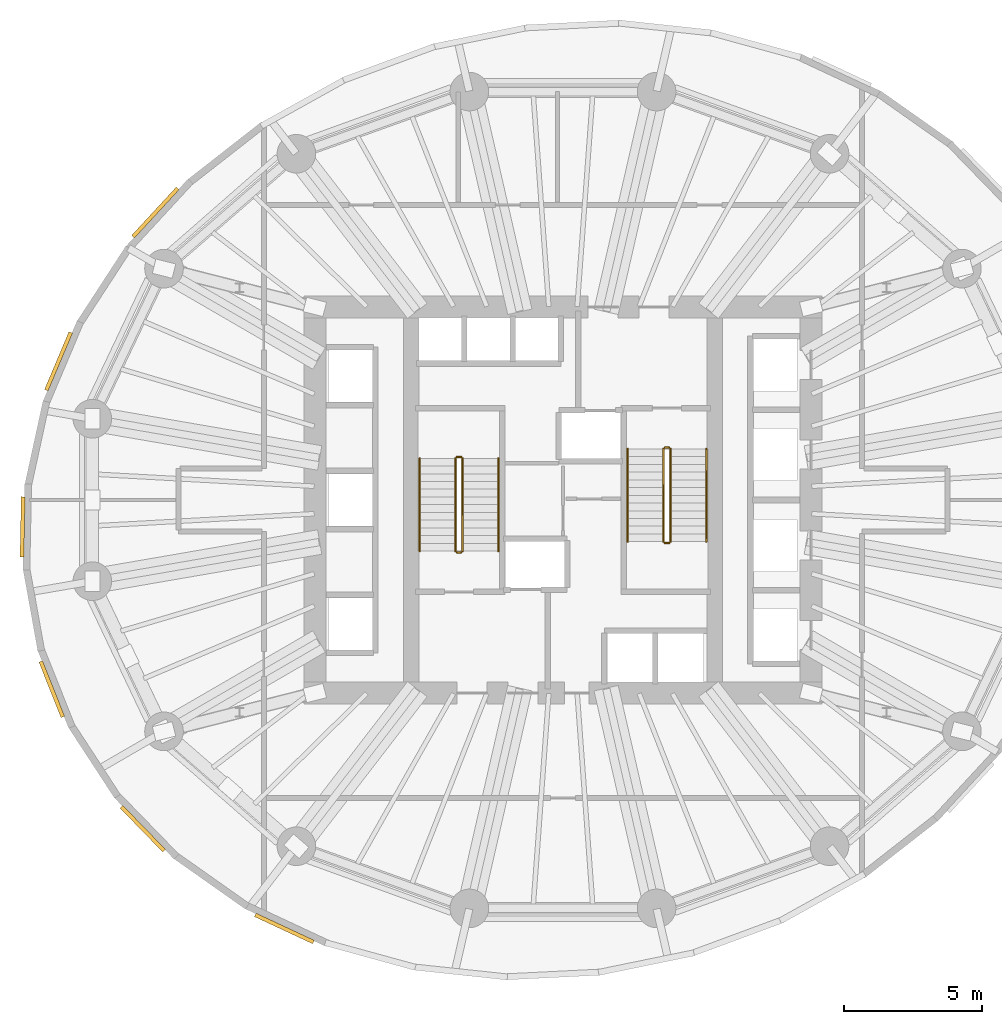
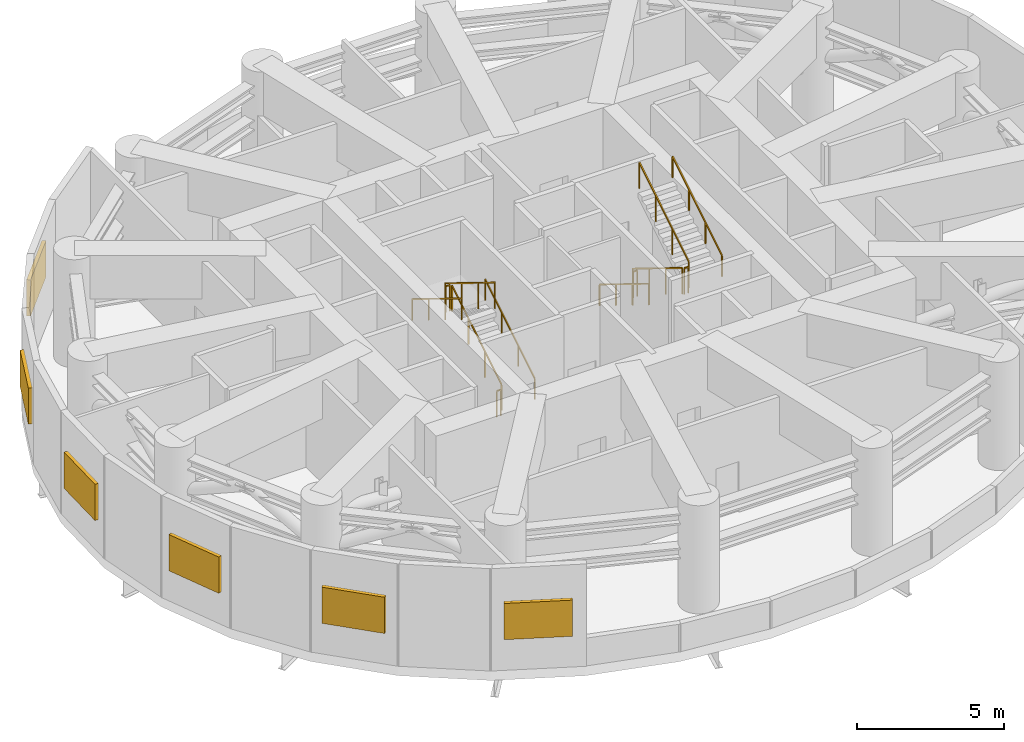
# One storey, part 7 of 8: 12 railings, 6 shading devices.
"""IFC4 building model written with IfcOpenShell, lengths in metres."""

from ifc_helpers import new_model, si_unit, direction, frame, origin, origin_2d, place, context, subcontext, project, spatial, rectangle, extrude, material, layer, layer_set, type_object, element, save


model = new_model("IFC4")

# Units and contexts
model_context = context("Model", 3, precision=1e-05, world=origin(), true_north=direction((0.0, 1.0)))
body_context = subcontext(model_context, "Body", "Model", "MODEL_VIEW")
ifc_project = project(units=[si_unit("LENGTHUNIT", "METRE"), si_unit("AREAUNIT", "SQUARE_METRE"), si_unit("VOLUMEUNIT", "CUBIC_METRE"), si_unit("PLANEANGLEUNIT", "RADIAN"), si_unit("MASSUNIT", "GRAM", prefix="KILO")], contexts=[model_context])

# Site, building, storey
site_placement = place(None, origin())
site = spatial("IfcSite", under=ifc_project, at=site_placement, CompositionType="ELEMENT")
building_placement = place(site_placement, origin())
building = spatial("IfcBuilding", under=site, at=building_placement, Name="Veldorim Arch Residences", CompositionType="ELEMENT")
storey_placement = place(building_placement, frame((0.0, 0.0, 66.39990234375)))
storey = spatial("IfcBuildingStorey", under=building, at=storey_placement, Name="L19", CompositionType="ELEMENT", Elevation=66.39990234375)

# Shading devices
ifc_material_1 = material(Name="Aluminium", Category="aluminium")
ifc_layer = layer(ifc_material_1, 0.14990234375, Name="Acoustic Stormproof Plant Louvre Bank")
ifc_layer_set = layer_set([ifc_layer], Name="Aluminium")
shading_device_type = type_object("IfcShadingDeviceType", Name="Acoustic Stormproof Plant Louvre Bank", PredefinedType="JALOUSIE", material=ifc_layer_set)
shading_device_1_placement = place(storey_placement, frame((17.218994140625, 34.424560546875, 1.35009765625), z_axis=(0.0, 0.0, 1.0), x_axis=(0.678544377272, 0.734559410853, 0.0)))
element("IfcShadingDevice", 1, at=shading_device_1_placement, inside=storey, type_object=shading_device_type, Name="L19 plant stormproof acoustic louvre 12", PredefinedType="JALOUSIE", context=body_context, shape_type="SweptSolid", body=[
    extrude(rectangle(XDim=2.383056640625, YDim=0.139892578125, at=origin_2d()), origin(), (0.0, 0.0, 1.0), 1.5),
])
shading_device_2_placement = place(storey_placement, frame((13.707763671875, 29.02978515625, 1.35009765625), z_axis=(0.0, 0.0, 1.0), x_axis=(0.389284721396, 0.921117476594, 0.0)))
element("IfcShadingDevice", 2, at=shading_device_2_placement, inside=storey, type_object=shading_device_type, Name="L19 plant stormproof acoustic louvre 14", PredefinedType="JALOUSIE", context=body_context, shape_type="SweptSolid", body=[
    extrude(rectangle(XDim=2.27099609375, YDim=0.139892578125, at=origin_2d()), origin(), (0.0, 0.0, 1.0), 1.5),
])
shading_device_3_placement = place(storey_placement, frame((12.402587890625, 23.026123046875, 1.35009765625), z_axis=(0.0, 0.0, 1.0), x_axis=(0.02059342932, 0.999787932848, 0.0)))
element("IfcShadingDevice", 3, at=shading_device_3_placement, inside=storey, type_object=shading_device_type, Name="L19 plant stormproof acoustic louvre 16", PredefinedType="JALOUSIE", context=body_context, shape_type="SweptSolid", body=[
    extrude(rectangle(XDim=2.181884765625, YDim=0.139892578125, at=origin_2d()), origin(), (0.0, 0.0, 1.0), 1.5),
])
shading_device_4_placement = place(storey_placement, frame((13.462646484375, 17.13916015625, 1.35009765625), z_axis=(0.0, 0.0, 1.0), x_axis=(-0.369908915867, 0.9290680244, 0.0)))
element("IfcShadingDevice", 4, at=shading_device_4_placement, inside=storey, type_object=shading_device_type, Name="L19 plant stormproof acoustic louvre 18", PredefinedType="JALOUSIE", context=body_context, shape_type="SweptSolid", body=[
    extrude(rectangle(XDim=2.160888671875, YDim=0.139892578125, at=origin_2d()), origin(), (0.0, 0.0, 1.0), 1.5),
])
shading_device_5_placement = place(storey_placement, frame((16.760498046875, 12.08056640625, 1.35009765625), z_axis=(0.0, 0.0, 1.0), x_axis=(-0.697039967731, 0.717032274995, 0.0)))
element("IfcShadingDevice", 5, at=shading_device_5_placement, inside=storey, type_object=shading_device_type, Name="L19 plant stormproof acoustic louvre 20", PredefinedType="JALOUSIE", context=body_context, shape_type="SweptSolid", body=[
    extrude(rectangle(XDim=2.219970703125, YDim=0.139892578125, at=origin_2d()), origin(), (0.0, 0.0, 1.0), 1.5),
])
shading_device_6_placement = place(storey_placement, frame((21.896240234375, 8.461669921875, 1.35009765625), z_axis=(0.0, 0.0, 1.0), x_axis=(-0.906160210221, 0.422934597085, 0.0)))
element("IfcShadingDevice", 6, at=shading_device_6_placement, inside=storey, type_object=shading_device_type, Name="L19 plant stormproof acoustic louvre 22", PredefinedType="JALOUSIE", context=body_context, shape_type="SweptSolid", body=[
    extrude(rectangle(XDim=2.327880859375, YDim=0.139892578125, at=origin_2d()), origin(), (0.0, 0.0, 1.0), 1.5),
])

# Railings
ifc_material_2 = material(Name="Steel S355", Category="steel")
railing_type_1 = type_object("IfcRailingType", Name="Galvanised Steel Stair Safety Guardrail 1100", PredefinedType="GUARDRAIL", material=ifc_material_2)
railing_1_placement = place(storey_placement, frame((28.360107421875, 22.14990234375, 0.17236328125)))
element("IfcRailing", 7, at=railing_1_placement, inside=storey, type_object=railing_type_1, Name="L19 ST-1 stair guard 1", PredefinedType="GUARDRAIL", context=body_context, shape_type="SweptSolid", body=[
    extrude(rectangle(XDim=0.048095703125, YDim=0.048095703125, at=origin_2d()), frame((0.0, 0.0, 1.076171875), z_axis=(0.0, 0.851673189135, 0.524073257196), x_axis=(-1.0, 0.0, 0.0)), (0.0, 0.0, 1.0), 3.9453125),
    extrude(rectangle(XDim=0.0419921875, YDim=0.0419921875, at=origin_2d()), origin(), (0.0, 0.0, 1.0), 1.052001953125),
    extrude(rectangle(XDim=0.0419921875, YDim=0.0419921875, at=origin_2d()), frame((0.0, 1.1201171875, 0.689208984375)), (0.0, 0.0, 1.0), 1.052001953125),
    extrude(rectangle(XDim=0.0419921875, YDim=0.0419921875, at=origin_2d()), frame((0.0, 2.239990234375, 1.37841796875)), (0.0, 0.0, 1.0), 1.052001953125),
    extrude(rectangle(XDim=0.0419921875, YDim=0.0419921875, at=origin_2d()), frame((0.0, 3.360107421875, 2.067626953125)), (0.0, 0.0, 1.0), 1.052001953125),
])
railing_2_placement = place(storey_placement, frame((28.31005859375, 25.56005859375, 2.239990234375)))
element("IfcRailing", 8, at=railing_2_placement, inside=storey, type_object=railing_type_1, Name="L19 ST-1 stair guard 2", PredefinedType="GUARDRAIL", context=body_context, shape_type="SweptSolid", body=[
    extrude(rectangle(XDim=0.048095703125, YDim=0.048095703125, at=origin_2d()), frame((0.0, 0.0, 1.076171875), z_axis=(-1.0, 0.0, 0.0), x_axis=(0.0, -1.0, 0.0)), (0.0, 0.0, 1.0), 0.16015625),
    extrude(rectangle(XDim=0.0419921875, YDim=0.0419921875, at=origin_2d()), origin(), (0.0, 0.0, 1.0), 1.052001953125),
    extrude(rectangle(XDim=0.0419921875, YDim=0.0419921875, at=origin_2d()), frame((-0.16015625, 0.0, 0.0)), (0.0, 0.0, 1.0), 1.052001953125),
])
railing_3_placement = place(storey_placement, frame((28.10009765625, 25.510009765625, 2.412353515625)))
element("IfcRailing", 9, at=railing_3_placement, inside=storey, type_object=railing_type_1, Name="L19 ST-1 stair guard 3", PredefinedType="GUARDRAIL", context=body_context, shape_type="SweptSolid", body=[
    extrude(rectangle(XDim=0.048095703125, YDim=0.048095703125, at=origin_2d()), frame((0.0, 0.0, 1.076171875), z_axis=(0.0, -0.851673189135, 0.524073257196), x_axis=(1.0, 0.0, 0.0)), (0.0, 0.0, 1.0), 3.9453125),
    extrude(rectangle(XDim=0.0419921875, YDim=0.0419921875, at=origin_2d()), origin(), (0.0, 0.0, 1.0), 1.052001953125),
    extrude(rectangle(XDim=0.0419921875, YDim=0.0419921875, at=origin_2d()), frame((0.0, -1.1201171875, 0.689208984375)), (0.0, 0.0, 1.0), 1.052001953125),
    extrude(rectangle(XDim=0.0419921875, YDim=0.0419921875, at=origin_2d()), frame((0.0, -2.239990234375, 1.37841796875)), (0.0, 0.0, 1.0), 1.052001953125),
    extrude(rectangle(XDim=0.0419921875, YDim=0.0419921875, at=origin_2d()), frame((0.0, -3.360107421875, 2.067626953125)), (0.0, 0.0, 1.0), 1.052001953125),
])
railing_4_placement = place(storey_placement, frame((28.31005859375, 22.10009765625, 0.0)))
element("IfcRailing", 10, at=railing_4_placement, inside=storey, type_object=railing_type_1, Name="L19 ST-1 stair guard 4", PredefinedType="GUARDRAIL", context=body_context, shape_type="SweptSolid", body=[
    extrude(rectangle(XDim=0.048095703125, YDim=0.048095703125, at=origin_2d()), frame((0.0, 0.0, 1.076171875), z_axis=(-1.0, 0.0, 0.0), x_axis=(0.0, -1.0, 0.0)), (0.0, 0.0, 1.0), 0.16015625),
    extrude(rectangle(XDim=0.0419921875, YDim=0.0419921875, at=origin_2d()), origin(), (0.0, 0.0, 1.0), 1.052001953125),
    extrude(rectangle(XDim=0.0419921875, YDim=0.0419921875, at=origin_2d()), frame((-0.16015625, 0.0, 0.0)), (0.0, 0.0, 1.0), 1.052001953125),
])
railing_5_placement = place(storey_placement, frame((35.639892578125, 25.85009765625, 0.17236328125)))
element("IfcRailing", 11, at=railing_5_placement, inside=storey, type_object=railing_type_1, Name="L19 ST-2 stair guard 1", PredefinedType="GUARDRAIL", context=body_context, shape_type="SweptSolid", body=[
    extrude(rectangle(XDim=0.048095703125, YDim=0.048095703125, at=origin_2d()), frame((0.0, 0.0, 1.076171875), z_axis=(0.0, -0.851673189135, 0.524073257196), x_axis=(1.0, 0.0, 0.0)), (0.0, 0.0, 1.0), 3.9453125),
    extrude(rectangle(XDim=0.0419921875, YDim=0.0419921875, at=origin_2d()), origin(), (0.0, 0.0, 1.0), 1.052001953125),
    extrude(rectangle(XDim=0.0419921875, YDim=0.0419921875, at=origin_2d()), frame((0.0, -1.1201171875, 0.689208984375)), (0.0, 0.0, 1.0), 1.052001953125),
    extrude(rectangle(XDim=0.0419921875, YDim=0.0419921875, at=origin_2d()), frame((0.0, -2.239990234375, 1.37841796875)), (0.0, 0.0, 1.0), 1.052001953125),
    extrude(rectangle(XDim=0.0419921875, YDim=0.0419921875, at=origin_2d()), frame((0.0, -3.360107421875, 2.067626953125)), (0.0, 0.0, 1.0), 1.052001953125),
])
railing_6_placement = place(storey_placement, frame((35.68994140625, 22.43994140625, 2.239990234375)))
element("IfcRailing", 12, at=railing_6_placement, inside=storey, type_object=railing_type_1, Name="L19 ST-2 stair guard 2", PredefinedType="GUARDRAIL", context=body_context, shape_type="SweptSolid", body=[
    extrude(rectangle(XDim=0.048095703125, YDim=0.048095703125, at=origin_2d()), frame((0.0, 0.0, 1.076171875), z_axis=(1.0, 0.0, 0.0), x_axis=(0.0, 1.0, 0.0)), (0.0, 0.0, 1.0), 0.16015625),
    extrude(rectangle(XDim=0.0419921875, YDim=0.0419921875, at=origin_2d()), origin(), (0.0, 0.0, 1.0), 1.052001953125),
    extrude(rectangle(XDim=0.0419921875, YDim=0.0419921875, at=origin_2d()), frame((0.16015625, 0.0, 0.0)), (0.0, 0.0, 1.0), 1.052001953125),
])
railing_7_placement = place(storey_placement, frame((35.89990234375, 22.489990234375, 2.412353515625)))
element("IfcRailing", 13, at=railing_7_placement, inside=storey, type_object=railing_type_1, Name="L19 ST-2 stair guard 3", PredefinedType="GUARDRAIL", context=body_context, shape_type="SweptSolid", body=[
    extrude(rectangle(XDim=0.048095703125, YDim=0.048095703125, at=origin_2d()), frame((0.0, 0.0, 1.076171875), z_axis=(0.0, 0.851673189135, 0.524073257196), x_axis=(-1.0, 0.0, 0.0)), (0.0, 0.0, 1.0), 3.9453125),
    extrude(rectangle(XDim=0.0419921875, YDim=0.0419921875, at=origin_2d()), origin(), (0.0, 0.0, 1.0), 1.052001953125),
    extrude(rectangle(XDim=0.0419921875, YDim=0.0419921875, at=origin_2d()), frame((0.0, 1.1201171875, 0.689208984375)), (0.0, 0.0, 1.0), 1.052001953125),
    extrude(rectangle(XDim=0.0419921875, YDim=0.0419921875, at=origin_2d()), frame((0.0, 2.239990234375, 1.37841796875)), (0.0, 0.0, 1.0), 1.052001953125),
    extrude(rectangle(XDim=0.0419921875, YDim=0.0419921875, at=origin_2d()), frame((0.0, 3.360107421875, 2.067626953125)), (0.0, 0.0, 1.0), 1.052001953125),
])
railing_8_placement = place(storey_placement, frame((35.68994140625, 25.89990234375, 0.0)))
element("IfcRailing", 14, at=railing_8_placement, inside=storey, type_object=railing_type_1, Name="L19 ST-2 stair guard 4", PredefinedType="GUARDRAIL", context=body_context, shape_type="SweptSolid", body=[
    extrude(rectangle(XDim=0.048095703125, YDim=0.048095703125, at=origin_2d()), frame((0.0, 0.0, 1.076171875), z_axis=(1.0, 0.0, 0.0), x_axis=(0.0, 1.0, 0.0)), (0.0, 0.0, 1.0), 0.16015625),
    extrude(rectangle(XDim=0.0419921875, YDim=0.0419921875, at=origin_2d()), origin(), (0.0, 0.0, 1.0), 1.052001953125),
    extrude(rectangle(XDim=0.0419921875, YDim=0.0419921875, at=origin_2d()), frame((0.16015625, 0.0, 0.0)), (0.0, 0.0, 1.0), 1.052001953125),
])
ifc_material_3 = material(Name="Stainless Steel", Category="steel")
railing_type_2 = type_object("IfcRailingType", Name="Tubular Steel Continuous Wall Handrail 900", PredefinedType="HANDRAIL", material=ifc_material_3)
railing_9_placement = place(storey_placement, frame((29.659912109375, 22.14990234375, 0.17236328125)))
element("IfcRailing", 15, at=railing_9_placement, inside=storey, type_object=railing_type_2, Name="L19 ST-1 stair handrail 1", PredefinedType="HANDRAIL", context=body_context, shape_type="SweptSolid", body=[
    extrude(rectangle(XDim=0.048095703125, YDim=0.048095703125, at=origin_2d()), frame((0.0, 0.0, 0.8759765625), z_axis=(0.0, 0.851673189135, 0.524073257196), x_axis=(-1.0, 0.0, 0.0)), (0.0, 0.0, 1.0), 3.9453125),
    extrude(rectangle(XDim=0.0419921875, YDim=0.0419921875, at=origin_2d()), origin(), (0.0, 0.0, 1.0), 0.851806640625),
    extrude(rectangle(XDim=0.0419921875, YDim=0.0419921875, at=origin_2d()), frame((0.0, 1.1201171875, 0.689208984375)), (0.0, 0.0, 1.0), 0.851806640625),
    extrude(rectangle(XDim=0.0419921875, YDim=0.0419921875, at=origin_2d()), frame((0.0, 2.239990234375, 1.37841796875)), (0.0, 0.0, 1.0), 0.851806640625),
    extrude(rectangle(XDim=0.0419921875, YDim=0.0419921875, at=origin_2d()), frame((0.0, 3.360107421875, 2.067626953125)), (0.0, 0.0, 1.0), 0.851806640625),
])
for number, where, name in (
    (16, (26.800048828125, 25.510009765625, 2.412353515625), "L19 ST-1 stair handrail 2"),
    (17, (34.340087890625, 25.85009765625, 0.17236328125), "L19 ST-2 stair handrail 1"),
):
    element("IfcRailing", number, at=place(storey_placement, frame(where)), inside=storey, type_object=railing_type_2, Name=name, PredefinedType="HANDRAIL", context=body_context, shape_type="SweptSolid", body=[
        extrude(rectangle(XDim=0.048095703125, YDim=0.048095703125, at=origin_2d()), frame((0.0, 0.0, 0.8759765625), z_axis=(0.0, -0.851673189135, 0.524073257196), x_axis=(1.0, 0.0, 0.0)), (0.0, 0.0, 1.0), 3.9453125),
        extrude(rectangle(XDim=0.0419921875, YDim=0.0419921875, at=origin_2d()), origin(), (0.0, 0.0, 1.0), 0.851806640625),
        extrude(rectangle(XDim=0.0419921875, YDim=0.0419921875, at=origin_2d()), frame((0.0, -1.1201171875, 0.689208984375)), (0.0, 0.0, 1.0), 0.851806640625),
        extrude(rectangle(XDim=0.0419921875, YDim=0.0419921875, at=origin_2d()), frame((0.0, -2.239990234375, 1.37841796875)), (0.0, 0.0, 1.0), 0.851806640625),
        extrude(rectangle(XDim=0.0419921875, YDim=0.0419921875, at=origin_2d()), frame((0.0, -3.360107421875, 2.067626953125)), (0.0, 0.0, 1.0), 0.851806640625),
    ])
railing_10_placement = place(storey_placement, frame((37.199951171875, 22.489990234375, 2.412353515625)))
element("IfcRailing", 18, at=railing_10_placement, inside=storey, type_object=railing_type_2, Name="L19 ST-2 stair handrail 2", PredefinedType="HANDRAIL", context=body_context, shape_type="SweptSolid", body=[
    extrude(rectangle(XDim=0.048095703125, YDim=0.048095703125, at=origin_2d()), frame((0.0, 0.0, 0.8759765625), z_axis=(0.0, 0.851673189135, 0.524073257196), x_axis=(-1.0, 0.0, 0.0)), (0.0, 0.0, 1.0), 3.9453125),
    extrude(rectangle(XDim=0.0419921875, YDim=0.0419921875, at=origin_2d()), origin(), (0.0, 0.0, 1.0), 0.851806640625),
    extrude(rectangle(XDim=0.0419921875, YDim=0.0419921875, at=origin_2d()), frame((0.0, 1.1201171875, 0.689208984375)), (0.0, 0.0, 1.0), 0.851806640625),
    extrude(rectangle(XDim=0.0419921875, YDim=0.0419921875, at=origin_2d()), frame((0.0, 2.239990234375, 1.37841796875)), (0.0, 0.0, 1.0), 0.851806640625),
    extrude(rectangle(XDim=0.0419921875, YDim=0.0419921875, at=origin_2d()), frame((0.0, 3.360107421875, 2.067626953125)), (0.0, 0.0, 1.0), 0.851806640625),
])

save(model, "model.ifc")
